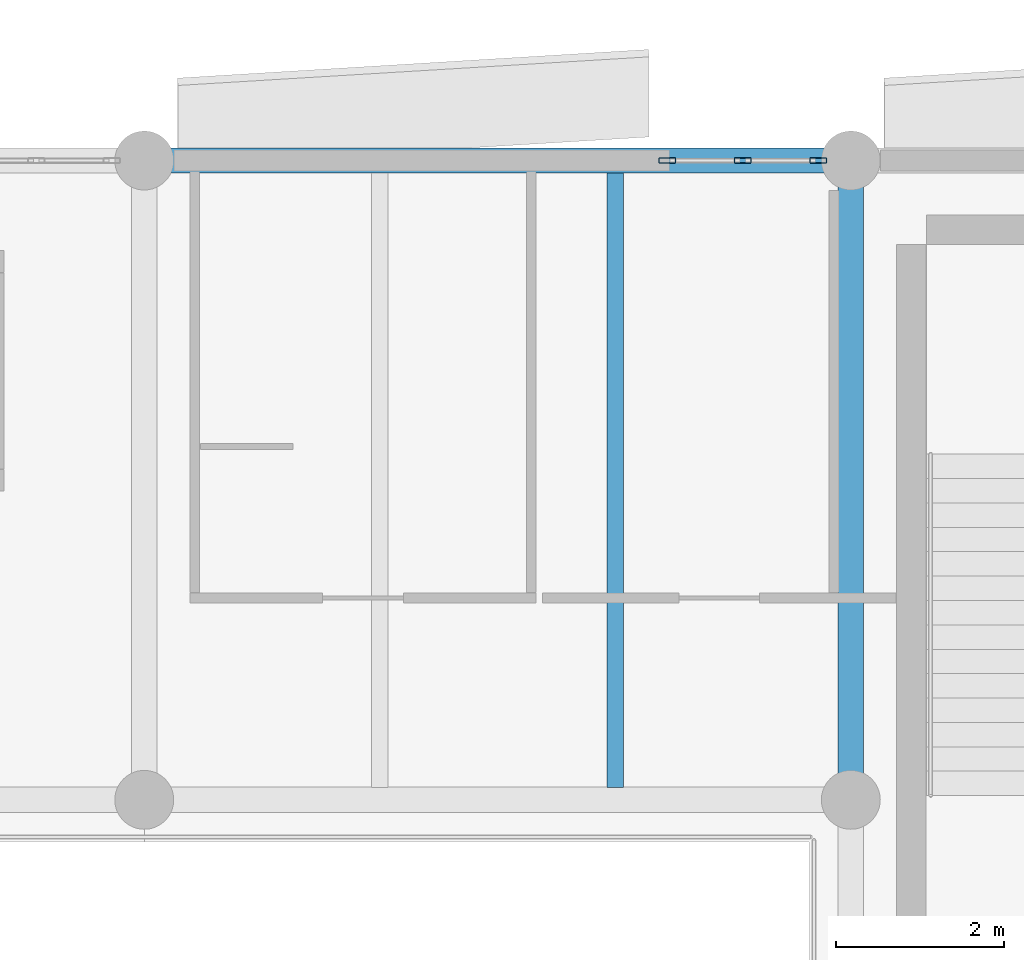
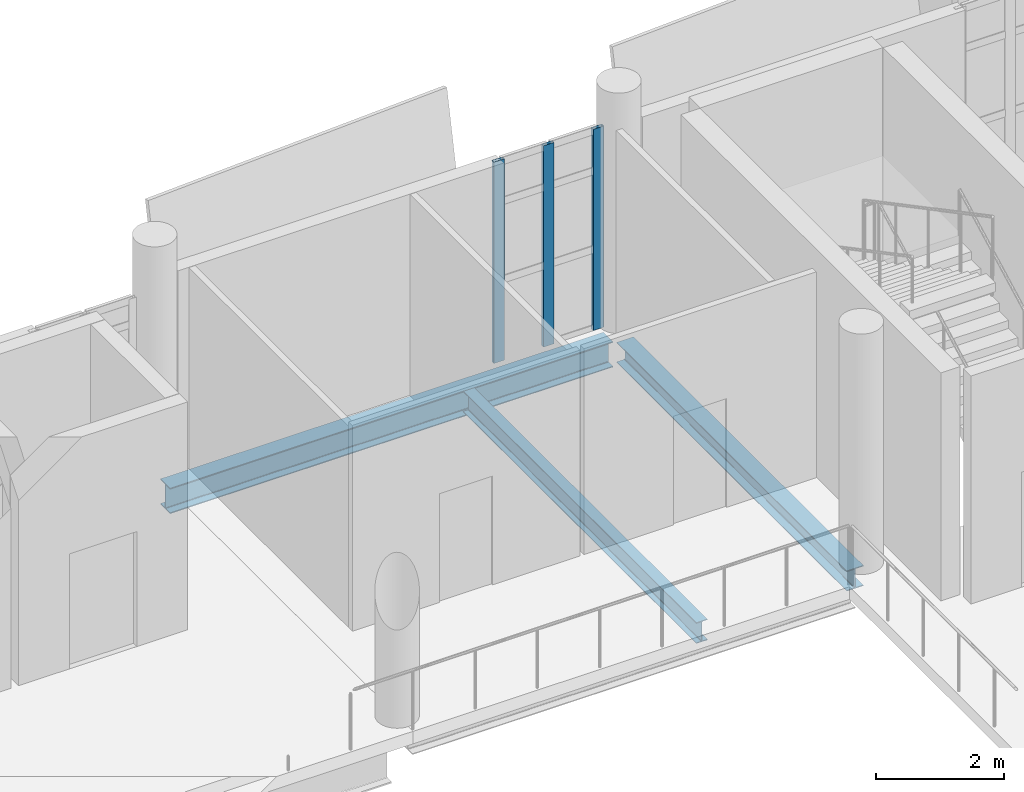
# One storey, part 42 of 136: 3 beams, 3 members, 1 element without a shape of its own.
"""IFC4 building model written with IfcOpenShell, lengths in metres."""

from ifc_helpers import new_model, si_unit, direction, frame, origin, origin_2d, place, context, subcontext, project, spatial, hollow_rectangle, i_section, extrude, material, material_profile, profile_set, type_object, element, aggregate, save


model = new_model("IFC4")

# Units and contexts
model_context = context("Model", 3, precision=1e-05, world=origin(), true_north=direction((0.0, 1.0)))
body_context = subcontext(model_context, "Body", "Model", "MODEL_VIEW")
ifc_project = project(units=[si_unit("LENGTHUNIT", "METRE"), si_unit("AREAUNIT", "SQUARE_METRE"), si_unit("VOLUMEUNIT", "CUBIC_METRE"), si_unit("PLANEANGLEUNIT", "RADIAN"), si_unit("MASSUNIT", "GRAM", prefix="KILO")], contexts=[model_context])

# Site, building, storey
site_placement = place(None, origin())
site = spatial("IfcSite", under=ifc_project, at=site_placement, CompositionType="ELEMENT")
building_placement = place(site_placement, origin())
building = spatial("IfcBuilding", under=site, at=building_placement, Name="Shengluoqiao Park Theatre", CompositionType="ELEMENT")
storey_placement = place(building_placement, frame((0.0, 0.0, 10.0)))
storey = spatial("IfcBuildingStorey", under=building, at=storey_placement, Name="L02", CompositionType="ELEMENT", Elevation=10.0)

# Curtain wall, members
ifc_material_1 = material(Name="Aluminium 6063-T6", Category="aluminium")
curtain_wall_type = type_object("IfcCurtainWallType", Name="ENV-CW-FOYER", PredefinedType="NOTDEFINED", material=ifc_material_1)
curtain_wall_placement = place(storey_placement, origin())
curtain_wall = element("IfcCurtainWall", 1, at=curtain_wall_placement, inside=storey, type_object=curtain_wall_type, Name="L02 Curtain Wall CW-L02-0064", PredefinedType="NOTDEFINED")
ifc_material_profile_1 = material_profile(ifc_material_1, hollow_rectangle(XDim=0.06494140625, YDim=0.199951171875, WallThickness=0.0048828125, InnerFilletRadius=0.0048828125, OuterFilletRadius=0.010009765625, at=origin_2d()), Name="ALU MULLION 200x65x5")
ifc_profile_set_1 = profile_set([ifc_material_profile_1], Name="Aluminium 6063-T6")
member_type = type_object("IfcMemberType", Name="ENV-MUL-200", PredefinedType="MULLION", material=ifc_profile_set_1)
member_1_placement = place(storey_placement, frame((33.818603515625, 76.0, 0.0), z_axis=(0.0, 0.0, 1.0), x_axis=(0.0, 1.0, 0.0)))
member_1 = element("IfcMember", 2, at=member_1_placement, type_object=member_type, Name="CW-01 mullion 1", PredefinedType="MULLION", context=body_context, shape_type="SweptSolid", body=[
    extrude(hollow_rectangle(XDim=0.06494140625, YDim=0.199951171875, WallThickness=0.0048828125, InnerFilletRadius=0.0048828125, OuterFilletRadius=0.010009765625, at=origin_2d()), origin(), (0.0, 0.0, 1.0), 3.85009765625),
])
member_2_placement = place(storey_placement, frame((34.716064453125, 76.0, 0.0), z_axis=(0.0, 0.0, 1.0), x_axis=(0.0, 1.0, 0.0)))
member_2 = element("IfcMember", 3, at=member_2_placement, type_object=member_type, Name="CW-01 mullion 2", PredefinedType="MULLION", context=body_context, shape_type="SweptSolid", body=[
    extrude(hollow_rectangle(XDim=0.06494140625, YDim=0.199951171875, WallThickness=0.0048828125, InnerFilletRadius=0.0048828125, OuterFilletRadius=0.010009765625, at=origin_2d()), origin(), (0.0, 0.0, 1.0), 3.85009765625),
])
member_3_placement = place(storey_placement, frame((35.613525390625, 76.0, 0.0), z_axis=(0.0, 0.0, 1.0), x_axis=(0.0, 1.0, 0.0)))
member_3 = element("IfcMember", 4, at=member_3_placement, type_object=member_type, Name="CW-01 mullion 3", PredefinedType="MULLION", context=body_context, shape_type="SweptSolid", body=[
    extrude(hollow_rectangle(XDim=0.06494140625, YDim=0.199951171875, WallThickness=0.0048828125, InnerFilletRadius=0.0048828125, OuterFilletRadius=0.010009765625, at=origin_2d()), origin(), (0.0, 0.0, 1.0), 3.85009765625),
])
aggregate(curtain_wall, [member_1, member_2, member_3])

# Beams
ifc_material_2 = material(Name="Steel Q355", Category="steel")
ifc_material_profile_2 = material_profile(ifc_material_2, i_section(OverallWidth=0.300048828125, OverallDepth=0.389892578125, WebThickness=0.010009765625, FlangeThickness=0.01611328125, FilletRadius=0.01806640625, at=origin_2d()), Name="HM 390x300x10x16")
ifc_profile_set_2 = profile_set([ifc_material_profile_2], Name="Steel Q355")
beam_type_1 = type_object("IfcBeamType", Name="STR-BM-G-HM390", PredefinedType="BEAM", material=ifc_profile_set_2)
beam_1_placement = place(storey_placement, frame((36.0, 68.593994140625, -0.43505859375), z_axis=(0.0, 1.0, 0.0), x_axis=(-1.0, 0.0, 0.0)))
element("IfcBeam", 5, at=beam_1_placement, inside=storey, type_object=beam_type_1, Name="L02 Transverse Girder 00978", PredefinedType="BEAM", context=body_context, shape_type="SweptSolid", body=[
    extrude(i_section(OverallWidth=0.300048828125, OverallDepth=0.389892578125, WebThickness=0.010009765625, FlangeThickness=0.01611328125, FilletRadius=0.01806640625, at=origin_2d()), origin(), (0.0, 0.0, 1.0), 7.2119140625),
])
ifc_material_profile_3 = material_profile(ifc_material_2, i_section(OverallWidth=0.300048828125, OverallDepth=0.488037109375, WebThickness=0.010986328125, FlangeThickness=0.01806640625, FilletRadius=0.02197265625, at=origin_2d()), Name="HM 488x300x11x18")
ifc_profile_set_3 = profile_set([ifc_material_profile_3], Name="Steel Q355")
beam_type_2 = type_object("IfcBeamType", Name="STR-BM-G-HM488", PredefinedType="BEAM", material=ifc_profile_set_3)
beam_2_placement = place(storey_placement, frame((27.7939453125, 76.0, -0.48388671875), z_axis=(1.0, 0.0, 0.0), x_axis=(0.0, 1.0, 0.0)))
element("IfcBeam", 6, at=beam_2_placement, inside=storey, type_object=beam_type_2, Name="L02 Primary Girder 00975", PredefinedType="BEAM", context=body_context, shape_type="SweptSolid", body=[
    extrude(i_section(OverallWidth=0.300048828125, OverallDepth=0.488037109375, WebThickness=0.010986328125, FlangeThickness=0.01806640625, FilletRadius=0.02197265625, at=origin_2d()), origin(), (0.0, 0.0, 1.0), 8.011962890625),
])
ifc_material_profile_4 = material_profile(ifc_material_2, i_section(OverallWidth=0.199951171875, OverallDepth=0.39990234375, WebThickness=0.008056640625, FlangeThickness=0.012939453125, FilletRadius=0.01611328125, at=origin_2d()), Name="HN 400x200x8x13")
ifc_profile_set_4 = profile_set([ifc_material_profile_4], Name="Steel Q355")
beam_type_3 = type_object("IfcBeamType", Name="STR-BM-J-HN400", PredefinedType="JOIST", material=ifc_profile_set_4)
beam_3_placement = place(storey_placement, frame((33.199951171875, 68.544921875, -0.43994140625), z_axis=(0.0, 1.0, 0.0), x_axis=(-1.0, 0.0, 0.0)))
element("IfcBeam", 7, at=beam_3_placement, inside=storey, type_object=beam_type_3, Name="L02 Composite Joist 00983", PredefinedType="JOIST", context=body_context, shape_type="SweptSolid", body=[
    extrude(i_section(OverallWidth=0.199951171875, OverallDepth=0.39990234375, WebThickness=0.008056640625, FlangeThickness=0.012939453125, FilletRadius=0.01611328125, at=origin_2d()), origin(), (0.0, 0.0, 1.0), 7.31005859375),
])

save(model, "model.ifc")
